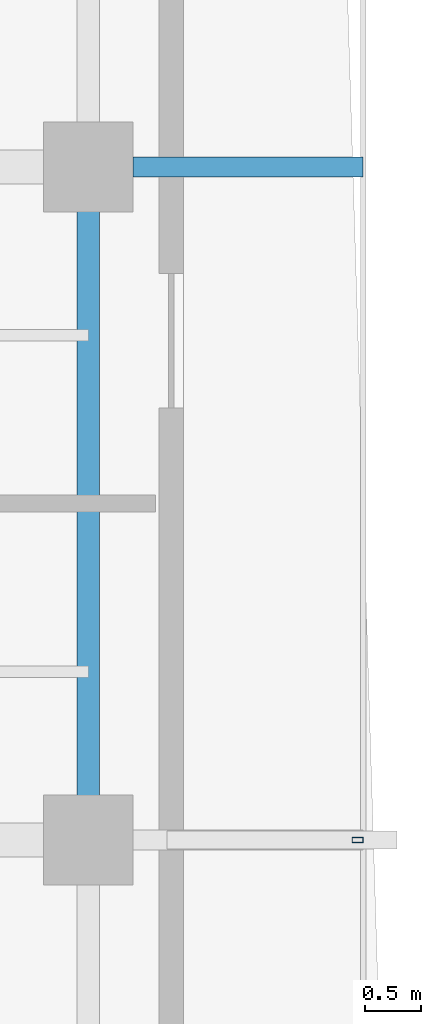
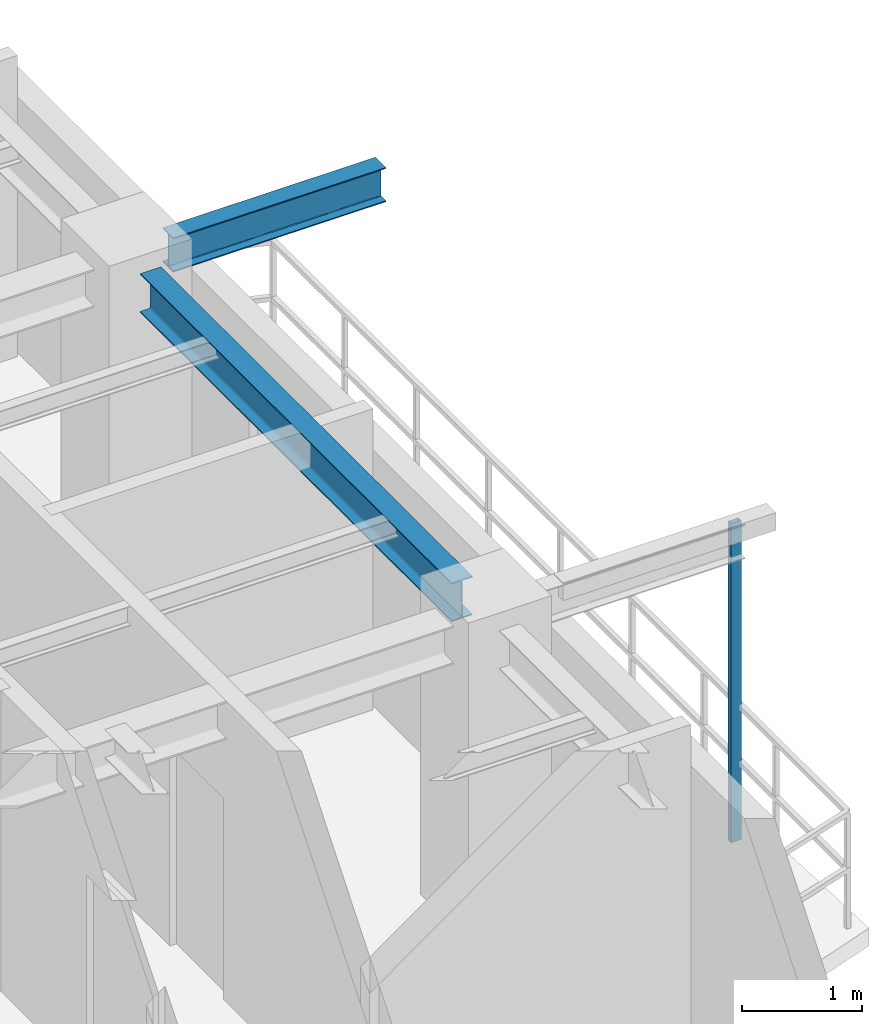
# One storey, part 7 of 15: 2 beams, 1 member.
"""IFC4 building model written with IfcOpenShell, lengths in metres."""

from ifc_helpers import new_model, si_unit, direction, frame, origin, origin_2d, place, context, subcontext, project, spatial, hollow_rectangle, i_section, extrude, source, transform, mapped, material, material_profile, profile_set, type_object, element, save


model = new_model("IFC4")

# Units and contexts
model_context = context("Model", 3, precision=1e-05, world=origin(), true_north=direction((0.0, 1.0)))
body_context = subcontext(model_context, "Body", "Model", "MODEL_VIEW")
ifc_project = project(units=[si_unit("LENGTHUNIT", "METRE"), si_unit("AREAUNIT", "SQUARE_METRE"), si_unit("VOLUMEUNIT", "CUBIC_METRE"), si_unit("PLANEANGLEUNIT", "RADIAN"), si_unit("MASSUNIT", "GRAM", prefix="KILO"), si_unit("THERMODYNAMICTEMPERATUREUNIT", "KELVIN"), si_unit("POWERUNIT", "WATT")], contexts=[model_context])

# Site, building, storey
site_placement = place(None, origin())
site = spatial("IfcSite", under=ifc_project, at=site_placement, CompositionType="ELEMENT")
building_placement = place(site_placement, origin())
building = spatial("IfcBuilding", under=site, at=building_placement, Name="Qiaomeng Ring Towers", CompositionType="ELEMENT")
storey_placement = place(building_placement, frame((0.0, 0.0, 213.25)))
storey = spatial("IfcBuildingStorey", under=building, at=storey_placement, Name="L62", CompositionType="ELEMENT", Elevation=213.25)

# Beams
ifc_material_1 = material(Name="Steel Q355B", Category="steel")
ifc_material_profile_1 = material_profile(ifc_material_1, i_section(OverallWidth=0.198974609375, OverallDepth=0.39599609375, WebThickness=0.007080078125, FlangeThickness=0.010986328125, FilletRadius=0.01611328125, at=origin_2d()), Name="HN 396x199x7x11")
ifc_profile_set_1 = profile_set([ifc_material_profile_1], Name="Steel Q355B")
beam_type_1 = type_object("IfcBeamType", Name="STR-BM-HN396", PredefinedType="SPANDREL", material=ifc_profile_set_1)
shared_shape_1 = source(origin(), body_context, "Body", "SweptSolid", [
    extrude(i_section(OverallWidth=0.198974609375, OverallDepth=0.39599609375, WebThickness=0.007080078125, FlangeThickness=0.010986328125, FilletRadius=0.01611328125, at=origin_2d()), origin(), (0.0, 0.0, 1.0), 5.2021484375),
])
beam_1_placement = place(storey_placement, frame((34.949951171875, 20.39892578125, 2.8720703125), z_axis=(0.0, 1.0, 0.0), x_axis=(-1.0, 0.0, 0.0)))
element("IfcBeam", 1, at=beam_1_placement, inside=storey, type_object=beam_type_1, Name="L62 beam STR-SP-L62-T1-E2-E3", PredefinedType="SPANDREL", context=body_context, shape_type="MappedRepresentation", body=[
    mapped(shared_shape_1, transform((0.0, 0.0, 0.0), x_axis=(1.0, 0.0, 0.0), y_axis=(0.0, 1.0, 0.0), z_axis=(0.0, 0.0, 1.0), scale=1.0)),
])
ifc_material_profile_2 = material_profile(ifc_material_1, i_section(OverallWidth=0.175048828125, OverallDepth=0.35009765625, WebThickness=0.007080078125, FlangeThickness=0.010986328125, FilletRadius=0.013916015625, at=origin_2d()), Name="HN 350x175x7x11")
ifc_profile_set_2 = profile_set([ifc_material_profile_2], Name="Steel Q355B")
beam_type_2 = type_object("IfcBeamType", Name="STR-BM-HN350", PredefinedType="JOIST", material=ifc_profile_set_2)
shared_shape_2 = source(origin(), body_context, "Body", "SweptSolid", [
    extrude(i_section(OverallWidth=0.175048828125, OverallDepth=0.35009765625, WebThickness=0.007080078125, FlangeThickness=0.010986328125, FilletRadius=0.013916015625, at=origin_2d()), origin(), (0.0, 0.0, 1.0), 2.05078125),
])
beam_2_placement = place(storey_placement, frame((35.34912109375, 26.0, 2.89501953125), z_axis=(1.0, 0.0, 0.0), x_axis=(0.0, 1.0, 0.0)))
element("IfcBeam", 2, at=beam_2_placement, inside=storey, type_object=beam_type_2, Name="L62 beam STR-BALBM-L62-E3", PredefinedType="JOIST", context=body_context, shape_type="MappedRepresentation", body=[
    mapped(shared_shape_2, transform((0.0, 0.0, 0.0), x_axis=(1.0, 0.0, 0.0), y_axis=(0.0, 1.0, 0.0), z_axis=(0.0, 0.0, 1.0), scale=1.0)),
])

# Member
ifc_material_2 = material(Name="Stainless steel 316", Category="steel")
ifc_material_profile_3 = material_profile(ifc_material_2, hollow_rectangle(XDim=0.050048828125, YDim=0.10009765625, WallThickness=0.00390625, at=origin_2d()), Name="SS TRELLIS 100x50")
ifc_profile_set_3 = profile_set([ifc_material_profile_3], Name="Stainless steel 316")
member_type = type_object("IfcMemberType", Name="ARC-TR-POST2", PredefinedType="STUD", material=ifc_profile_set_3)
shared_shape_3 = source(origin(), body_context, "Body", "SweptSolid", [
    extrude(hollow_rectangle(XDim=0.050048828125, YDim=0.10009765625, WallThickness=0.00390625, at=origin_2d()), origin(), (0.0, 0.0, 1.0), 3.25),
])
member_placement = place(storey_placement, frame((37.35009765625, 20.0, -0.179931640625), z_axis=(0.0, 0.0, 1.0), x_axis=(0.0, 1.0, 0.0)))
element("IfcMember", 3, at=member_placement, inside=storey, type_object=member_type, Name="L62 Outer Ventilated Trellis Post E", PredefinedType="STUD", context=body_context, shape_type="MappedRepresentation", body=[
    mapped(shared_shape_3, transform((0.0, 0.0, 0.0), x_axis=(1.0, 0.0, 0.0), y_axis=(0.0, 1.0, 0.0), z_axis=(0.0, 0.0, 1.0), scale=1.0)),
])

save(model, "model.ifc")
